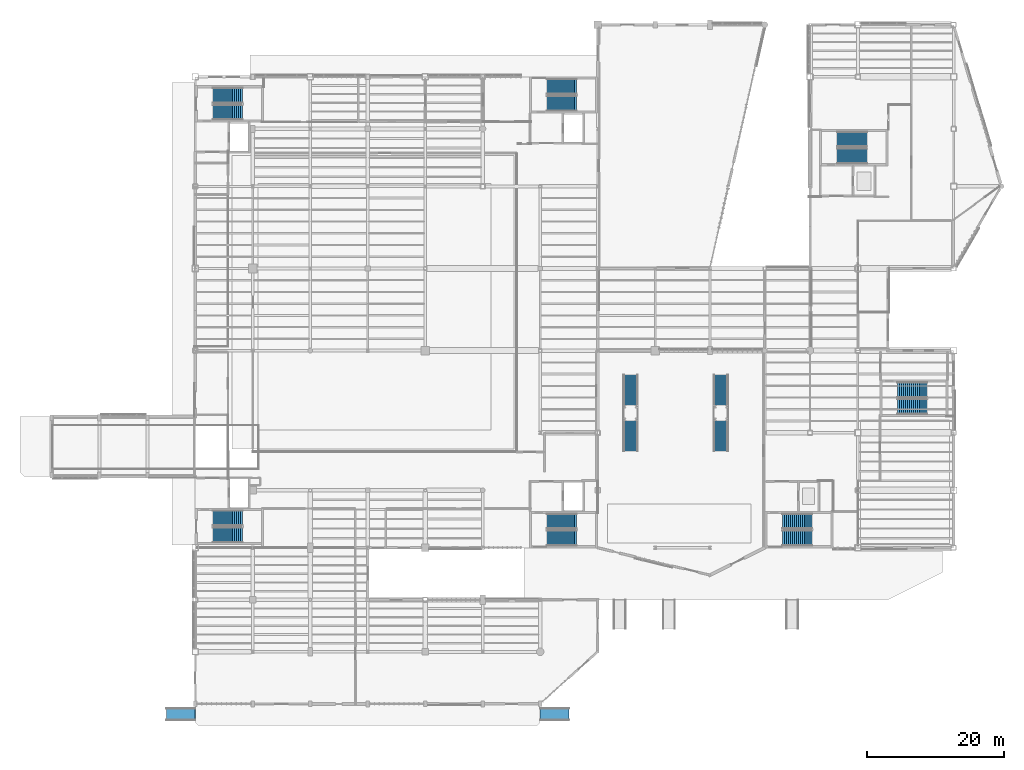
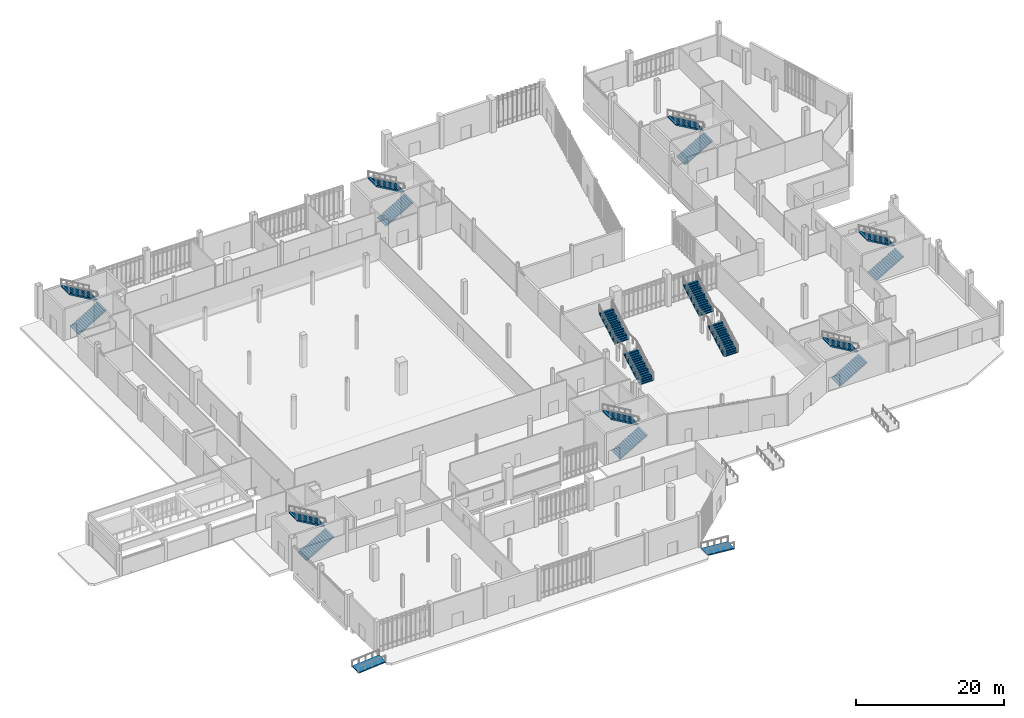
# One storey, part 93 of 111: 18 stair flights, 2 ramp flights, 11 elements without a shape of their own.
"""IFC4 building model written with IfcOpenShell, lengths in metres."""

from ifc_helpers import new_model, si_unit, direction, frame, origin, place, context, subcontext, project, spatial, polyline, outline, extrude, material, layer, layer_set, type_object, element, aggregate, save


model = new_model("IFC4")

# Units and contexts
model_context = context("Model", 3, precision=1e-05, world=origin(), true_north=direction((0.0, 1.0)))
body_context = subcontext(model_context, "Body", "Model", "MODEL_VIEW")
ifc_project = project(units=[si_unit("LENGTHUNIT", "METRE"), si_unit("AREAUNIT", "SQUARE_METRE"), si_unit("VOLUMEUNIT", "CUBIC_METRE"), si_unit("PLANEANGLEUNIT", "RADIAN"), si_unit("MASSUNIT", "GRAM", prefix="KILO")], contexts=[model_context])

# Site, building, storey
site_placement = place(None, origin())
site = spatial("IfcSite", under=ifc_project, at=site_placement, CompositionType="ELEMENT")
building_placement = place(site_placement, origin())
building = spatial("IfcBuilding", under=site, at=building_placement, Name="Larkvane Passage Sports Hall", CompositionType="ELEMENT")
storey_placement = place(building_placement, origin())
storey = spatial("IfcBuildingStorey", under=building, at=storey_placement, Name="L00", CompositionType="ELEMENT", Elevation=0.0)

# Stair, stair flights
ifc_material = material(Name="Concrete C40/50", Category="concrete")
stair_type_1 = type_object("IfcStairType", Name="STR-FOYER-2200", PredefinedType="TWO_STRAIGHT_RUN_STAIR", material=ifc_material)
stair_1_placement = place(storey_placement, origin())
stair_1 = element("IfcStair", 1, at=stair_1_placement, inside=storey, type_object=stair_type_1, Name="Entrance foyer feature stair ST-F1", PredefinedType="TWO_STRAIGHT_RUN_STAIR")
stair_flight_type_1 = type_object("IfcStairFlightType", Name="SFL-RC-2200", PredefinedType="STRAIGHT", material=ifc_material)
stair_flight_1_placement = place(storey_placement, frame((98.39990234375, 36.89990234375, 0.0), z_axis=(0.0, 0.0, 1.0), x_axis=(0.0, 1.0, 0.0)))
stair_flight_1 = element("IfcStairFlight", 2, at=stair_flight_1_placement, type_object=stair_flight_type_1, Name="ST-F1 flight 1", NumberOfRisers=16, NumberOfTreads=15, PredefinedType="STRAIGHT", RiserHeight=0.16875, TreadLength=0.295, context=body_context, shape_type="SweptSolid", body=[
    extrude(outline(polyline([(0.0, 0.0), (0.0, 0.168701171875), (0.294921875, 0.168701171875), (0.294921875, 0.33740234375), (0.590087890625, 0.33740234375), (0.590087890625, 0.50634765625), (0.885009765625, 0.50634765625), (0.885009765625, 0.675048828125), (1.179931640625, 0.675048828125), (1.179931640625, 0.84375), (1.47509765625, 0.84375), (1.47509765625, 1.012451171875), (1.77001953125, 1.012451171875), (1.77001953125, 1.18115234375), (2.06494140625, 1.18115234375), (2.06494140625, 1.35009765625), (2.360107421875, 1.35009765625), (2.360107421875, 1.518798828125), (2.655029296875, 1.518798828125), (2.655029296875, 1.6875), (2.949951171875, 1.6875), (2.949951171875, 1.856201171875), (3.2451171875, 1.856201171875), (3.2451171875, 2.02490234375), (3.5400390625, 2.02490234375), (3.5400390625, 2.19384765625), (3.8349609375, 2.19384765625), (3.8349609375, 2.362548828125), (4.1298828125, 2.362548828125), (4.1298828125, 2.53125), (4.425048828125, 2.53125), (4.425048828125, 2.699951171875), (4.425048828125, 2.323974609375), (0.3623046875, 0.0), (0.0, 0.0)])), frame((0.0, 1.10009765625, 0.0), z_axis=(0.0, -1.0, 0.0), x_axis=(1.0, 0.0, 0.0)), (0.0, 0.0, 1.0), 2.199951171875),
])
stair_flight_2_placement = place(storey_placement, frame((98.39990234375, 43.625, 2.699951171875), z_axis=(0.0, 0.0, 1.0), x_axis=(0.0, 1.0, 0.0)))
stair_flight_2 = element("IfcStairFlight", 3, at=stair_flight_2_placement, type_object=stair_flight_type_1, Name="ST-F1 flight 2", NumberOfRisers=16, NumberOfTreads=15, PredefinedType="STRAIGHT", RiserHeight=0.16875, TreadLength=0.295, context=body_context, shape_type="SweptSolid", body=[
    extrude(outline(polyline([(0.0, 0.0), (0.0, 0.168701171875), (0.294921875, 0.168701171875), (0.294921875, 0.33740234375), (0.590087890625, 0.33740234375), (0.590087890625, 0.50634765625), (0.885009765625, 0.50634765625), (0.885009765625, 0.675048828125), (1.179931640625, 0.675048828125), (1.179931640625, 0.84375), (1.47509765625, 0.84375), (1.47509765625, 1.012451171875), (1.77001953125, 1.012451171875), (1.77001953125, 1.18115234375), (2.06494140625, 1.18115234375), (2.06494140625, 1.35009765625), (2.360107421875, 1.35009765625), (2.360107421875, 1.518798828125), (2.655029296875, 1.518798828125), (2.655029296875, 1.6875), (2.949951171875, 1.6875), (2.949951171875, 1.856201171875), (3.2451171875, 1.856201171875), (3.2451171875, 2.02490234375), (3.5400390625, 2.02490234375), (3.5400390625, 2.19384765625), (3.8349609375, 2.19384765625), (3.8349609375, 2.362548828125), (4.1298828125, 2.362548828125), (4.1298828125, 2.53125), (4.425048828125, 2.53125), (4.425048828125, 2.699951171875), (4.425048828125, 2.323974609375), (0.3623046875, 0.0), (0.0, 0.0)])), frame((0.0, 1.10009765625, 0.0), z_axis=(0.0, -1.0, 0.0), x_axis=(1.0, 0.0, 0.0)), (0.0, 0.0, 1.0), 2.199951171875),
])
aggregate(stair_1, [stair_flight_1, stair_flight_2])

stair_2_placement = place(storey_placement, origin())
stair_2 = element("IfcStair", 4, at=stair_2_placement, inside=storey, type_object=stair_type_1, Name="Entrance foyer feature stair ST-F2", PredefinedType="TWO_STRAIGHT_RUN_STAIR")
stair_flight_3_placement = place(storey_placement, frame((111.60009765625, 36.89990234375, 0.0), z_axis=(0.0, 0.0, 1.0), x_axis=(0.0, 1.0, 0.0)))
stair_flight_3 = element("IfcStairFlight", 5, at=stair_flight_3_placement, type_object=stair_flight_type_1, Name="ST-F2 flight 1", NumberOfRisers=16, NumberOfTreads=15, PredefinedType="STRAIGHT", RiserHeight=0.16875, TreadLength=0.295, context=body_context, shape_type="SweptSolid", body=[
    extrude(outline(polyline([(0.0, 0.0), (0.0, 0.168701171875), (0.294921875, 0.168701171875), (0.294921875, 0.33740234375), (0.590087890625, 0.33740234375), (0.590087890625, 0.50634765625), (0.885009765625, 0.50634765625), (0.885009765625, 0.675048828125), (1.179931640625, 0.675048828125), (1.179931640625, 0.84375), (1.47509765625, 0.84375), (1.47509765625, 1.012451171875), (1.77001953125, 1.012451171875), (1.77001953125, 1.18115234375), (2.06494140625, 1.18115234375), (2.06494140625, 1.35009765625), (2.360107421875, 1.35009765625), (2.360107421875, 1.518798828125), (2.655029296875, 1.518798828125), (2.655029296875, 1.6875), (2.949951171875, 1.6875), (2.949951171875, 1.856201171875), (3.2451171875, 1.856201171875), (3.2451171875, 2.02490234375), (3.5400390625, 2.02490234375), (3.5400390625, 2.19384765625), (3.8349609375, 2.19384765625), (3.8349609375, 2.362548828125), (4.1298828125, 2.362548828125), (4.1298828125, 2.53125), (4.425048828125, 2.53125), (4.425048828125, 2.699951171875), (4.425048828125, 2.323974609375), (0.3623046875, 0.0), (0.0, 0.0)])), frame((0.0, 1.10009765625, 0.0), z_axis=(0.0, -1.0, 0.0), x_axis=(1.0, 0.0, 0.0)), (0.0, 0.0, 1.0), 2.199951171875),
])
stair_flight_4_placement = place(storey_placement, frame((111.60009765625, 43.625, 2.699951171875), z_axis=(0.0, 0.0, 1.0), x_axis=(0.0, 1.0, 0.0)))
stair_flight_4 = element("IfcStairFlight", 6, at=stair_flight_4_placement, type_object=stair_flight_type_1, Name="ST-F2 flight 2", NumberOfRisers=16, NumberOfTreads=15, PredefinedType="STRAIGHT", RiserHeight=0.16875, TreadLength=0.295, context=body_context, shape_type="SweptSolid", body=[
    extrude(outline(polyline([(0.0, 0.0), (0.0, 0.168701171875), (0.294921875, 0.168701171875), (0.294921875, 0.33740234375), (0.590087890625, 0.33740234375), (0.590087890625, 0.50634765625), (0.885009765625, 0.50634765625), (0.885009765625, 0.675048828125), (1.179931640625, 0.675048828125), (1.179931640625, 0.84375), (1.47509765625, 0.84375), (1.47509765625, 1.012451171875), (1.77001953125, 1.012451171875), (1.77001953125, 1.18115234375), (2.06494140625, 1.18115234375), (2.06494140625, 1.35009765625), (2.360107421875, 1.35009765625), (2.360107421875, 1.518798828125), (2.655029296875, 1.518798828125), (2.655029296875, 1.6875), (2.949951171875, 1.6875), (2.949951171875, 1.856201171875), (3.2451171875, 1.856201171875), (3.2451171875, 2.02490234375), (3.5400390625, 2.02490234375), (3.5400390625, 2.19384765625), (3.8349609375, 2.19384765625), (3.8349609375, 2.362548828125), (4.1298828125, 2.362548828125), (4.1298828125, 2.53125), (4.425048828125, 2.53125), (4.425048828125, 2.699951171875), (4.425048828125, 2.323974609375), (0.3623046875, 0.0), (0.0, 0.0)])), frame((0.0, 1.10009765625, 0.0), z_axis=(0.0, -1.0, 0.0), x_axis=(1.0, 0.0, 0.0)), (0.0, 0.0, 1.0), 2.199951171875),
])
aggregate(stair_2, [stair_flight_3, stair_flight_4])

stair_type_2 = type_object("IfcStairType", Name="STR-CORE-2250", PredefinedType="HALF_TURN_STAIR", material=ifc_material)
stair_3_placement = place(storey_placement, origin())
stair_3 = element("IfcStair", 7, at=stair_3_placement, inside=storey, type_object=stair_type_2, Name="L00 Protected exit stair ST-01", PredefinedType="HALF_TURN_STAIR")
stair_flight_type_2 = type_object("IfcStairFlightType", Name="SFL-RC-2250", PredefinedType="STRAIGHT", material=ifc_material)
stair_flight_5_placement = place(storey_placement, frame((37.3798828125, 24.675048828125, 0.0), z_axis=(0.0, 0.0, 1.0), x_axis=(1.0, 0.0, 0.0)))
stair_flight_5 = element("IfcStairFlight", 8, at=stair_flight_5_placement, type_object=stair_flight_type_2, Name="ST-01 flight 1", NumberOfRisers=16, NumberOfTreads=15, PredefinedType="STRAIGHT", RiserHeight=0.16875, TreadLength=0.29, context=body_context, shape_type="SweptSolid", body=[
    extrude(outline(polyline([(0.0, 0.0), (0.0, 0.168701171875), (0.2900390625, 0.168701171875), (0.2900390625, 0.33740234375), (0.580078125, 0.33740234375), (0.580078125, 0.50634765625), (0.8701171875, 0.50634765625), (0.8701171875, 0.675048828125), (1.159912109375, 0.675048828125), (1.159912109375, 0.84375), (1.449951171875, 0.84375), (1.449951171875, 1.012451171875), (1.739990234375, 1.012451171875), (1.739990234375, 1.18115234375), (2.030029296875, 1.18115234375), (2.030029296875, 1.35009765625), (2.320068359375, 1.35009765625), (2.320068359375, 1.518798828125), (2.610107421875, 1.518798828125), (2.610107421875, 1.6875), (2.89990234375, 1.6875), (2.89990234375, 1.856201171875), (3.18994140625, 1.856201171875), (3.18994140625, 2.02490234375), (3.47998046875, 2.02490234375), (3.47998046875, 2.19384765625), (3.77001953125, 2.19384765625), (3.77001953125, 2.362548828125), (4.06005859375, 2.362548828125), (4.06005859375, 2.53125), (4.35009765625, 2.53125), (4.35009765625, 2.699951171875), (4.35009765625, 2.34619140625), (0.31787109375, 0.0), (0.0, 0.0)])), frame((0.0, 1.125, 0.0), z_axis=(0.0, -1.0, 0.0), x_axis=(1.0, 0.0, 0.0)), (0.0, 0.0, 1.0), 2.25),
])
stair_flight_6_placement = place(storey_placement, frame((41.72998046875, 27.125, 2.699951171875), z_axis=(0.0, 0.0, 1.0), x_axis=(-1.0, 0.0, 0.0)))
stair_flight_6 = element("IfcStairFlight", 9, at=stair_flight_6_placement, type_object=stair_flight_type_2, Name="ST-01 flight 2", NumberOfRisers=16, NumberOfTreads=15, PredefinedType="STRAIGHT", RiserHeight=0.16875, TreadLength=0.29, context=body_context, shape_type="SweptSolid", body=[
    extrude(outline(polyline([(0.0, 0.0), (0.0, 0.168701171875), (0.2900390625, 0.168701171875), (0.2900390625, 0.33740234375), (0.580078125, 0.33740234375), (0.580078125, 0.50634765625), (0.8701171875, 0.50634765625), (0.8701171875, 0.675048828125), (1.159912109375, 0.675048828125), (1.159912109375, 0.84375), (1.449951171875, 0.84375), (1.449951171875, 1.012451171875), (1.739990234375, 1.012451171875), (1.739990234375, 1.18115234375), (2.030029296875, 1.18115234375), (2.030029296875, 1.35009765625), (2.320068359375, 1.35009765625), (2.320068359375, 1.518798828125), (2.610107421875, 1.518798828125), (2.610107421875, 1.6875), (2.89990234375, 1.6875), (2.89990234375, 1.856201171875), (3.18994140625, 1.856201171875), (3.18994140625, 2.02490234375), (3.47998046875, 2.02490234375), (3.47998046875, 2.19384765625), (3.77001953125, 2.19384765625), (3.77001953125, 2.362548828125), (4.06005859375, 2.362548828125), (4.06005859375, 2.53125), (4.35009765625, 2.53125), (4.35009765625, 2.699951171875), (4.35009765625, 2.34619140625), (0.31787109375, 0.0), (0.0, 0.0)])), frame((0.0, 1.125, 0.0), z_axis=(0.0, -1.0, 0.0), x_axis=(1.0, 0.0, 0.0)), (0.0, 0.0, 1.0), 2.25),
])
aggregate(stair_3, [stair_flight_5, stair_flight_6])

stair_4_placement = place(storey_placement, origin())
stair_4 = element("IfcStair", 10, at=stair_4_placement, inside=storey, type_object=stair_type_2, Name="L00 Protected exit stair ST-02", PredefinedType="HALF_TURN_STAIR")
stair_flight_7_placement = place(storey_placement, frame((37.3798828125, 86.425048828125, 0.0), z_axis=(0.0, 0.0, 1.0), x_axis=(1.0, 0.0, 0.0)))
stair_flight_7 = element("IfcStairFlight", 11, at=stair_flight_7_placement, type_object=stair_flight_type_2, Name="ST-02 flight 1", NumberOfRisers=16, NumberOfTreads=15, PredefinedType="STRAIGHT", RiserHeight=0.16875, TreadLength=0.29, context=body_context, shape_type="SweptSolid", body=[
    extrude(outline(polyline([(0.0, 0.0), (0.0, 0.168701171875), (0.2900390625, 0.168701171875), (0.2900390625, 0.33740234375), (0.580078125, 0.33740234375), (0.580078125, 0.50634765625), (0.8701171875, 0.50634765625), (0.8701171875, 0.675048828125), (1.159912109375, 0.675048828125), (1.159912109375, 0.84375), (1.449951171875, 0.84375), (1.449951171875, 1.012451171875), (1.739990234375, 1.012451171875), (1.739990234375, 1.18115234375), (2.030029296875, 1.18115234375), (2.030029296875, 1.35009765625), (2.320068359375, 1.35009765625), (2.320068359375, 1.518798828125), (2.610107421875, 1.518798828125), (2.610107421875, 1.6875), (2.89990234375, 1.6875), (2.89990234375, 1.856201171875), (3.18994140625, 1.856201171875), (3.18994140625, 2.02490234375), (3.47998046875, 2.02490234375), (3.47998046875, 2.19384765625), (3.77001953125, 2.19384765625), (3.77001953125, 2.362548828125), (4.06005859375, 2.362548828125), (4.06005859375, 2.53125), (4.35009765625, 2.53125), (4.35009765625, 2.699951171875), (4.35009765625, 2.34619140625), (0.31787109375, 0.0), (0.0, 0.0)])), frame((0.0, 1.125, 0.0), z_axis=(0.0, -1.0, 0.0), x_axis=(1.0, 0.0, 0.0)), (0.0, 0.0, 1.0), 2.25),
])
stair_flight_8_placement = place(storey_placement, frame((41.72998046875, 88.875, 2.699951171875), z_axis=(0.0, 0.0, 1.0), x_axis=(-1.0, 0.0, 0.0)))
stair_flight_8 = element("IfcStairFlight", 12, at=stair_flight_8_placement, type_object=stair_flight_type_2, Name="ST-02 flight 2", NumberOfRisers=16, NumberOfTreads=15, PredefinedType="STRAIGHT", RiserHeight=0.16875, TreadLength=0.29, context=body_context, shape_type="SweptSolid", body=[
    extrude(outline(polyline([(0.0, 0.0), (0.0, 0.168701171875), (0.2900390625, 0.168701171875), (0.2900390625, 0.33740234375), (0.580078125, 0.33740234375), (0.580078125, 0.50634765625), (0.8701171875, 0.50634765625), (0.8701171875, 0.675048828125), (1.159912109375, 0.675048828125), (1.159912109375, 0.84375), (1.449951171875, 0.84375), (1.449951171875, 1.012451171875), (1.739990234375, 1.012451171875), (1.739990234375, 1.18115234375), (2.030029296875, 1.18115234375), (2.030029296875, 1.35009765625), (2.320068359375, 1.35009765625), (2.320068359375, 1.518798828125), (2.610107421875, 1.518798828125), (2.610107421875, 1.6875), (2.89990234375, 1.6875), (2.89990234375, 1.856201171875), (3.18994140625, 1.856201171875), (3.18994140625, 2.02490234375), (3.47998046875, 2.02490234375), (3.47998046875, 2.19384765625), (3.77001953125, 2.19384765625), (3.77001953125, 2.362548828125), (4.06005859375, 2.362548828125), (4.06005859375, 2.53125), (4.35009765625, 2.53125), (4.35009765625, 2.699951171875), (4.35009765625, 2.34619140625), (0.31787109375, 0.0), (0.0, 0.0)])), frame((0.0, 1.125, 0.0), z_axis=(0.0, -1.0, 0.0), x_axis=(1.0, 0.0, 0.0)), (0.0, 0.0, 1.0), 2.25),
])
aggregate(stair_4, [stair_flight_7, stair_flight_8])

stair_5_placement = place(storey_placement, origin())
stair_5 = element("IfcStair", 13, at=stair_5_placement, inside=storey, type_object=stair_type_2, Name="L00 Protected exit stair ST-03", PredefinedType="HALF_TURN_STAIR")
stair_flight_9_placement = place(storey_placement, frame((86.179931640625, 87.72509765625, 0.0), z_axis=(0.0, 0.0, 1.0), x_axis=(1.0, 0.0, 0.0)))
stair_flight_9 = element("IfcStairFlight", 14, at=stair_flight_9_placement, type_object=stair_flight_type_2, Name="ST-03 flight 1", NumberOfRisers=16, NumberOfTreads=15, PredefinedType="STRAIGHT", RiserHeight=0.16875, TreadLength=0.29, context=body_context, shape_type="SweptSolid", body=[
    extrude(outline(polyline([(0.0, 0.0), (0.0, 0.168701171875), (0.2900390625, 0.168701171875), (0.2900390625, 0.33740234375), (0.580078125, 0.33740234375), (0.580078125, 0.50634765625), (0.8701171875, 0.50634765625), (0.8701171875, 0.675048828125), (1.159912109375, 0.675048828125), (1.159912109375, 0.84375), (1.449951171875, 0.84375), (1.449951171875, 1.012451171875), (1.739990234375, 1.012451171875), (1.739990234375, 1.18115234375), (2.030029296875, 1.18115234375), (2.030029296875, 1.35009765625), (2.320068359375, 1.35009765625), (2.320068359375, 1.518798828125), (2.610107421875, 1.518798828125), (2.610107421875, 1.6875), (2.89990234375, 1.6875), (2.89990234375, 1.856201171875), (3.18994140625, 1.856201171875), (3.18994140625, 2.02490234375), (3.47998046875, 2.02490234375), (3.47998046875, 2.19384765625), (3.77001953125, 2.19384765625), (3.77001953125, 2.362548828125), (4.06005859375, 2.362548828125), (4.06005859375, 2.53125), (4.35009765625, 2.53125), (4.35009765625, 2.699951171875), (4.35009765625, 2.34619140625), (0.31787109375, 0.0), (0.0, 0.0)])), frame((0.0, 1.125, 0.0), z_axis=(0.0, -1.0, 0.0), x_axis=(1.0, 0.0, 0.0)), (0.0, 0.0, 1.0), 2.25),
])
stair_flight_10_placement = place(storey_placement, frame((90.530029296875, 90.175048828125, 2.699951171875), z_axis=(0.0, 0.0, 1.0), x_axis=(-1.0, 0.0, 0.0)))
stair_flight_10 = element("IfcStairFlight", 15, at=stair_flight_10_placement, type_object=stair_flight_type_2, Name="ST-03 flight 2", NumberOfRisers=16, NumberOfTreads=15, PredefinedType="STRAIGHT", RiserHeight=0.16875, TreadLength=0.29, context=body_context, shape_type="SweptSolid", body=[
    extrude(outline(polyline([(0.0, 0.0), (0.0, 0.168701171875), (0.2900390625, 0.168701171875), (0.2900390625, 0.33740234375), (0.580078125, 0.33740234375), (0.580078125, 0.50634765625), (0.8701171875, 0.50634765625), (0.8701171875, 0.675048828125), (1.159912109375, 0.675048828125), (1.159912109375, 0.84375), (1.449951171875, 0.84375), (1.449951171875, 1.012451171875), (1.739990234375, 1.012451171875), (1.739990234375, 1.18115234375), (2.030029296875, 1.18115234375), (2.030029296875, 1.35009765625), (2.320068359375, 1.35009765625), (2.320068359375, 1.518798828125), (2.610107421875, 1.518798828125), (2.610107421875, 1.6875), (2.89990234375, 1.6875), (2.89990234375, 1.856201171875), (3.18994140625, 1.856201171875), (3.18994140625, 2.02490234375), (3.47998046875, 2.02490234375), (3.47998046875, 2.19384765625), (3.77001953125, 2.19384765625), (3.77001953125, 2.362548828125), (4.06005859375, 2.362548828125), (4.06005859375, 2.53125), (4.35009765625, 2.53125), (4.35009765625, 2.699951171875), (4.35009765625, 2.34619140625), (0.31787109375, 0.0), (0.0, 0.0)])), frame((0.0, 1.125, 0.0), z_axis=(0.0, -1.0, 0.0), x_axis=(1.0, 0.0, 0.0)), (0.0, 0.0, 1.0), 2.25),
])
aggregate(stair_5, [stair_flight_9, stair_flight_10])

stair_6_placement = place(storey_placement, origin())
stair_6 = element("IfcStair", 16, at=stair_6_placement, inside=storey, type_object=stair_type_2, Name="L00 Protected exit stair ST-04", PredefinedType="HALF_TURN_STAIR")
stair_flight_11_placement = place(storey_placement, frame((86.179931640625, 24.22509765625, 0.0), z_axis=(0.0, 0.0, 1.0), x_axis=(1.0, 0.0, 0.0)))
stair_flight_11 = element("IfcStairFlight", 17, at=stair_flight_11_placement, type_object=stair_flight_type_2, Name="ST-04 flight 1", NumberOfRisers=16, NumberOfTreads=15, PredefinedType="STRAIGHT", RiserHeight=0.16875, TreadLength=0.29, context=body_context, shape_type="SweptSolid", body=[
    extrude(outline(polyline([(0.0, 0.0), (0.0, 0.168701171875), (0.2900390625, 0.168701171875), (0.2900390625, 0.33740234375), (0.580078125, 0.33740234375), (0.580078125, 0.50634765625), (0.8701171875, 0.50634765625), (0.8701171875, 0.675048828125), (1.159912109375, 0.675048828125), (1.159912109375, 0.84375), (1.449951171875, 0.84375), (1.449951171875, 1.012451171875), (1.739990234375, 1.012451171875), (1.739990234375, 1.18115234375), (2.030029296875, 1.18115234375), (2.030029296875, 1.35009765625), (2.320068359375, 1.35009765625), (2.320068359375, 1.518798828125), (2.610107421875, 1.518798828125), (2.610107421875, 1.6875), (2.89990234375, 1.6875), (2.89990234375, 1.856201171875), (3.18994140625, 1.856201171875), (3.18994140625, 2.02490234375), (3.47998046875, 2.02490234375), (3.47998046875, 2.19384765625), (3.77001953125, 2.19384765625), (3.77001953125, 2.362548828125), (4.06005859375, 2.362548828125), (4.06005859375, 2.53125), (4.35009765625, 2.53125), (4.35009765625, 2.699951171875), (4.35009765625, 2.34619140625), (0.31787109375, 0.0), (0.0, 0.0)])), frame((0.0, 1.125, 0.0), z_axis=(0.0, -1.0, 0.0), x_axis=(1.0, 0.0, 0.0)), (0.0, 0.0, 1.0), 2.25),
])
stair_flight_12_placement = place(storey_placement, frame((90.530029296875, 26.675048828125, 2.699951171875), z_axis=(0.0, 0.0, 1.0), x_axis=(-1.0, 0.0, 0.0)))
stair_flight_12 = element("IfcStairFlight", 18, at=stair_flight_12_placement, type_object=stair_flight_type_2, Name="ST-04 flight 2", NumberOfRisers=16, NumberOfTreads=15, PredefinedType="STRAIGHT", RiserHeight=0.16875, TreadLength=0.29, context=body_context, shape_type="SweptSolid", body=[
    extrude(outline(polyline([(0.0, 0.0), (0.0, 0.168701171875), (0.2900390625, 0.168701171875), (0.2900390625, 0.33740234375), (0.580078125, 0.33740234375), (0.580078125, 0.50634765625), (0.8701171875, 0.50634765625), (0.8701171875, 0.675048828125), (1.159912109375, 0.675048828125), (1.159912109375, 0.84375), (1.449951171875, 0.84375), (1.449951171875, 1.012451171875), (1.739990234375, 1.012451171875), (1.739990234375, 1.18115234375), (2.030029296875, 1.18115234375), (2.030029296875, 1.35009765625), (2.320068359375, 1.35009765625), (2.320068359375, 1.518798828125), (2.610107421875, 1.518798828125), (2.610107421875, 1.6875), (2.89990234375, 1.6875), (2.89990234375, 1.856201171875), (3.18994140625, 1.856201171875), (3.18994140625, 2.02490234375), (3.47998046875, 2.02490234375), (3.47998046875, 2.19384765625), (3.77001953125, 2.19384765625), (3.77001953125, 2.362548828125), (4.06005859375, 2.362548828125), (4.06005859375, 2.53125), (4.35009765625, 2.53125), (4.35009765625, 2.699951171875), (4.35009765625, 2.34619140625), (0.31787109375, 0.0), (0.0, 0.0)])), frame((0.0, 1.125, 0.0), z_axis=(0.0, -1.0, 0.0), x_axis=(1.0, 0.0, 0.0)), (0.0, 0.0, 1.0), 2.25),
])
aggregate(stair_6, [stair_flight_11, stair_flight_12])

stair_7_placement = place(storey_placement, origin())
stair_7 = element("IfcStair", 19, at=stair_7_placement, inside=storey, type_object=stair_type_2, Name="L00 Protected exit stair ST-05", PredefinedType="HALF_TURN_STAIR")
stair_flight_13_placement = place(storey_placement, frame((120.580078125, 24.22509765625, 0.0), z_axis=(0.0, 0.0, 1.0), x_axis=(1.0, 0.0, 0.0)))
stair_flight_13 = element("IfcStairFlight", 20, at=stair_flight_13_placement, type_object=stair_flight_type_2, Name="ST-05 flight 1", NumberOfRisers=16, NumberOfTreads=15, PredefinedType="STRAIGHT", RiserHeight=0.16875, TreadLength=0.29, context=body_context, shape_type="SweptSolid", body=[
    extrude(outline(polyline([(0.0, 0.0), (0.0, 0.168701171875), (0.2900390625, 0.168701171875), (0.2900390625, 0.33740234375), (0.580078125, 0.33740234375), (0.580078125, 0.50634765625), (0.8701171875, 0.50634765625), (0.8701171875, 0.675048828125), (1.159912109375, 0.675048828125), (1.159912109375, 0.84375), (1.449951171875, 0.84375), (1.449951171875, 1.012451171875), (1.739990234375, 1.012451171875), (1.739990234375, 1.18115234375), (2.030029296875, 1.18115234375), (2.030029296875, 1.35009765625), (2.320068359375, 1.35009765625), (2.320068359375, 1.518798828125), (2.610107421875, 1.518798828125), (2.610107421875, 1.6875), (2.89990234375, 1.6875), (2.89990234375, 1.856201171875), (3.18994140625, 1.856201171875), (3.18994140625, 2.02490234375), (3.47998046875, 2.02490234375), (3.47998046875, 2.19384765625), (3.77001953125, 2.19384765625), (3.77001953125, 2.362548828125), (4.06005859375, 2.362548828125), (4.06005859375, 2.53125), (4.35009765625, 2.53125), (4.35009765625, 2.699951171875), (4.35009765625, 2.34619140625), (0.31787109375, 0.0), (0.0, 0.0)])), frame((0.0, 1.125, 0.0), z_axis=(0.0, -1.0, 0.0), x_axis=(1.0, 0.0, 0.0)), (0.0, 0.0, 1.0), 2.25),
])
stair_flight_14_placement = place(storey_placement, frame((124.929931640625, 26.675048828125, 2.699951171875), z_axis=(0.0, 0.0, 1.0), x_axis=(-1.0, 0.0, 0.0)))
stair_flight_14 = element("IfcStairFlight", 21, at=stair_flight_14_placement, type_object=stair_flight_type_2, Name="ST-05 flight 2", NumberOfRisers=16, NumberOfTreads=15, PredefinedType="STRAIGHT", RiserHeight=0.16875, TreadLength=0.29, context=body_context, shape_type="SweptSolid", body=[
    extrude(outline(polyline([(0.0, 0.0), (0.0, 0.168701171875), (0.2900390625, 0.168701171875), (0.2900390625, 0.33740234375), (0.580078125, 0.33740234375), (0.580078125, 0.50634765625), (0.8701171875, 0.50634765625), (0.8701171875, 0.675048828125), (1.159912109375, 0.675048828125), (1.159912109375, 0.84375), (1.449951171875, 0.84375), (1.449951171875, 1.012451171875), (1.739990234375, 1.012451171875), (1.739990234375, 1.18115234375), (2.030029296875, 1.18115234375), (2.030029296875, 1.35009765625), (2.320068359375, 1.35009765625), (2.320068359375, 1.518798828125), (2.610107421875, 1.518798828125), (2.610107421875, 1.6875), (2.89990234375, 1.6875), (2.89990234375, 1.856201171875), (3.18994140625, 1.856201171875), (3.18994140625, 2.02490234375), (3.47998046875, 2.02490234375), (3.47998046875, 2.19384765625), (3.77001953125, 2.19384765625), (3.77001953125, 2.362548828125), (4.06005859375, 2.362548828125), (4.06005859375, 2.53125), (4.35009765625, 2.53125), (4.35009765625, 2.699951171875), (4.35009765625, 2.34619140625), (0.31787109375, 0.0), (0.0, 0.0)])), frame((0.0, 1.125, 0.0), z_axis=(0.0, -1.0, 0.0), x_axis=(1.0, 0.0, 0.0)), (0.0, 0.0, 1.0), 2.25),
])
aggregate(stair_7, [stair_flight_13, stair_flight_14])

stair_8_placement = place(storey_placement, origin())
stair_8 = element("IfcStair", 22, at=stair_8_placement, inside=storey, type_object=stair_type_2, Name="L00 Protected exit stair ST-06", PredefinedType="HALF_TURN_STAIR")
stair_flight_15_placement = place(storey_placement, frame((128.580078125, 80.02490234375, 0.0), z_axis=(0.0, 0.0, 1.0), x_axis=(1.0, 0.0, 0.0)))
stair_flight_15 = element("IfcStairFlight", 23, at=stair_flight_15_placement, type_object=stair_flight_type_2, Name="ST-06 flight 1", NumberOfRisers=16, NumberOfTreads=15, PredefinedType="STRAIGHT", RiserHeight=0.16875, TreadLength=0.29, context=body_context, shape_type="SweptSolid", body=[
    extrude(outline(polyline([(0.0, 0.0), (0.0, 0.168701171875), (0.2900390625, 0.168701171875), (0.2900390625, 0.33740234375), (0.580078125, 0.33740234375), (0.580078125, 0.50634765625), (0.8701171875, 0.50634765625), (0.8701171875, 0.675048828125), (1.159912109375, 0.675048828125), (1.159912109375, 0.84375), (1.449951171875, 0.84375), (1.449951171875, 1.012451171875), (1.739990234375, 1.012451171875), (1.739990234375, 1.18115234375), (2.030029296875, 1.18115234375), (2.030029296875, 1.35009765625), (2.320068359375, 1.35009765625), (2.320068359375, 1.518798828125), (2.610107421875, 1.518798828125), (2.610107421875, 1.6875), (2.89990234375, 1.6875), (2.89990234375, 1.856201171875), (3.18994140625, 1.856201171875), (3.18994140625, 2.02490234375), (3.47998046875, 2.02490234375), (3.47998046875, 2.19384765625), (3.77001953125, 2.19384765625), (3.77001953125, 2.362548828125), (4.06005859375, 2.362548828125), (4.06005859375, 2.53125), (4.35009765625, 2.53125), (4.35009765625, 2.699951171875), (4.35009765625, 2.34619140625), (0.31787109375, 0.0), (0.0, 0.0)])), frame((0.0, 1.125, 0.0), z_axis=(0.0, -1.0, 0.0), x_axis=(1.0, 0.0, 0.0)), (0.0, 0.0, 1.0), 2.25),
])
stair_flight_16_placement = place(storey_placement, frame((132.929931640625, 82.47509765625, 2.699951171875), z_axis=(0.0, 0.0, 1.0), x_axis=(-1.0, 0.0, 0.0)))
stair_flight_16 = element("IfcStairFlight", 24, at=stair_flight_16_placement, type_object=stair_flight_type_2, Name="ST-06 flight 2", NumberOfRisers=16, NumberOfTreads=15, PredefinedType="STRAIGHT", RiserHeight=0.16875, TreadLength=0.29, context=body_context, shape_type="SweptSolid", body=[
    extrude(outline(polyline([(0.0, 0.0), (0.0, 0.168701171875), (0.2900390625, 0.168701171875), (0.2900390625, 0.33740234375), (0.580078125, 0.33740234375), (0.580078125, 0.50634765625), (0.8701171875, 0.50634765625), (0.8701171875, 0.675048828125), (1.159912109375, 0.675048828125), (1.159912109375, 0.84375), (1.449951171875, 0.84375), (1.449951171875, 1.012451171875), (1.739990234375, 1.012451171875), (1.739990234375, 1.18115234375), (2.030029296875, 1.18115234375), (2.030029296875, 1.35009765625), (2.320068359375, 1.35009765625), (2.320068359375, 1.518798828125), (2.610107421875, 1.518798828125), (2.610107421875, 1.6875), (2.89990234375, 1.6875), (2.89990234375, 1.856201171875), (3.18994140625, 1.856201171875), (3.18994140625, 2.02490234375), (3.47998046875, 2.02490234375), (3.47998046875, 2.19384765625), (3.77001953125, 2.19384765625), (3.77001953125, 2.362548828125), (4.06005859375, 2.362548828125), (4.06005859375, 2.53125), (4.35009765625, 2.53125), (4.35009765625, 2.699951171875), (4.35009765625, 2.34619140625), (0.31787109375, 0.0), (0.0, 0.0)])), frame((0.0, 1.125, 0.0), z_axis=(0.0, -1.0, 0.0), x_axis=(1.0, 0.0, 0.0)), (0.0, 0.0, 1.0), 2.25),
])
aggregate(stair_8, [stair_flight_15, stair_flight_16])

stair_9_placement = place(storey_placement, origin())
stair_9 = element("IfcStair", 25, at=stair_9_placement, inside=storey, type_object=stair_type_2, Name="L00 Protected exit stair ST-07", PredefinedType="HALF_TURN_STAIR")
stair_flight_17_placement = place(storey_placement, frame((137.3798828125, 43.425048828125, 0.0), z_axis=(0.0, 0.0, 1.0), x_axis=(1.0, 0.0, 0.0)))
stair_flight_17 = element("IfcStairFlight", 26, at=stair_flight_17_placement, type_object=stair_flight_type_2, Name="ST-07 flight 1", NumberOfRisers=16, NumberOfTreads=15, PredefinedType="STRAIGHT", RiserHeight=0.16875, TreadLength=0.29, context=body_context, shape_type="SweptSolid", body=[
    extrude(outline(polyline([(0.0, 0.0), (0.0, 0.168701171875), (0.2900390625, 0.168701171875), (0.2900390625, 0.33740234375), (0.580078125, 0.33740234375), (0.580078125, 0.50634765625), (0.8701171875, 0.50634765625), (0.8701171875, 0.675048828125), (1.159912109375, 0.675048828125), (1.159912109375, 0.84375), (1.449951171875, 0.84375), (1.449951171875, 1.012451171875), (1.739990234375, 1.012451171875), (1.739990234375, 1.18115234375), (2.030029296875, 1.18115234375), (2.030029296875, 1.35009765625), (2.320068359375, 1.35009765625), (2.320068359375, 1.518798828125), (2.610107421875, 1.518798828125), (2.610107421875, 1.6875), (2.89990234375, 1.6875), (2.89990234375, 1.856201171875), (3.18994140625, 1.856201171875), (3.18994140625, 2.02490234375), (3.47998046875, 2.02490234375), (3.47998046875, 2.19384765625), (3.77001953125, 2.19384765625), (3.77001953125, 2.362548828125), (4.06005859375, 2.362548828125), (4.06005859375, 2.53125), (4.35009765625, 2.53125), (4.35009765625, 2.699951171875), (4.35009765625, 2.34619140625), (0.31787109375, 0.0), (0.0, 0.0)])), frame((0.0, 1.125, 0.0), z_axis=(0.0, -1.0, 0.0), x_axis=(1.0, 0.0, 0.0)), (0.0, 0.0, 1.0), 2.25),
])
stair_flight_18_placement = place(storey_placement, frame((141.72998046875, 45.875, 2.699951171875), z_axis=(0.0, 0.0, 1.0), x_axis=(-1.0, 0.0, 0.0)))
stair_flight_18 = element("IfcStairFlight", 27, at=stair_flight_18_placement, type_object=stair_flight_type_2, Name="ST-07 flight 2", NumberOfRisers=16, NumberOfTreads=15, PredefinedType="STRAIGHT", RiserHeight=0.16875, TreadLength=0.29, context=body_context, shape_type="SweptSolid", body=[
    extrude(outline(polyline([(0.0, 0.0), (0.0, 0.168701171875), (0.2900390625, 0.168701171875), (0.2900390625, 0.33740234375), (0.580078125, 0.33740234375), (0.580078125, 0.50634765625), (0.8701171875, 0.50634765625), (0.8701171875, 0.675048828125), (1.159912109375, 0.675048828125), (1.159912109375, 0.84375), (1.449951171875, 0.84375), (1.449951171875, 1.012451171875), (1.739990234375, 1.012451171875), (1.739990234375, 1.18115234375), (2.030029296875, 1.18115234375), (2.030029296875, 1.35009765625), (2.320068359375, 1.35009765625), (2.320068359375, 1.518798828125), (2.610107421875, 1.518798828125), (2.610107421875, 1.6875), (2.89990234375, 1.6875), (2.89990234375, 1.856201171875), (3.18994140625, 1.856201171875), (3.18994140625, 2.02490234375), (3.47998046875, 2.02490234375), (3.47998046875, 2.19384765625), (3.77001953125, 2.19384765625), (3.77001953125, 2.362548828125), (4.06005859375, 2.362548828125), (4.06005859375, 2.53125), (4.35009765625, 2.53125), (4.35009765625, 2.699951171875), (4.35009765625, 2.34619140625), (0.31787109375, 0.0), (0.0, 0.0)])), frame((0.0, 1.125, 0.0), z_axis=(0.0, -1.0, 0.0), x_axis=(1.0, 0.0, 0.0)), (0.0, 0.0, 1.0), 2.25),
])
aggregate(stair_9, [stair_flight_17, stair_flight_18])

# Ramp, ramp flight
ramp_type = type_object("IfcRampType", Name="RMP-ACC-1500", PredefinedType="STRAIGHT_RUN_RAMP", material=ifc_material)
ramp_1_placement = place(storey_placement, origin())
ramp_1 = element("IfcRamp", 28, at=ramp_1_placement, inside=storey, type_object=ramp_type, Name="Accessible approach ramp RA-02", PredefinedType="STRAIGHT_RUN_RAMP")
ifc_layer = layer(ifc_material, 0.199951171875)
ifc_layer_set = layer_set([ifc_layer], Name="Concrete C40/50")
ramp_flight_type = type_object("IfcRampFlightType", Name="RFL-ACC-1500", PredefinedType="STRAIGHT", material=ifc_layer_set)
ramp_flight_1_placement = place(storey_placement, frame((30.60009765625, -2.39990234375, -0.35009765625), z_axis=(-0.083069450238, 0.0, 0.996543760423), x_axis=(0.996543760423, 0.0, 0.083069450238)))
ramp_flight_1 = element("IfcRampFlight", 29, at=ramp_flight_1_placement, type_object=ramp_flight_type, Name="Accessible ramp flight RA-02F", PredefinedType="STRAIGHT", context=body_context, shape_type="SweptSolid", body=[
    extrude(outline(polyline([(0.0, 0.0), (4.214517554245792, 0.0), (4.214517554245792, 1.7998046875000004), (0.0, 1.7998046875000004), (0.0, 0.0)])), origin(), (0.0, 0.0, -1.0), 0.199951171875),
])
aggregate(ramp_1, [ramp_flight_1])

ramp_2_placement = place(storey_placement, origin())
ramp_2 = element("IfcRamp", 30, at=ramp_2_placement, inside=storey, type_object=ramp_type, Name="Accessible approach ramp RA-03", PredefinedType="STRAIGHT_RUN_RAMP")
ramp_flight_2_placement = place(storey_placement, frame((89.39990234375, -2.39990234375, -0.35009765625), z_axis=(0.083069450238, 0.0, 0.996543760423), x_axis=(-0.996543760423, 0.0, 0.083069450238)))
ramp_flight_2 = element("IfcRampFlight", 31, at=ramp_flight_2_placement, type_object=ramp_flight_type, Name="Accessible ramp flight RA-03F", PredefinedType="STRAIGHT", context=body_context, shape_type="SweptSolid", body=[
    extrude(outline(polyline([(0.0, 0.0), (4.214517554245792, 0.0), (4.214517554245792, -1.7998046875000004), (0.0, -1.7998046875000004), (0.0, 0.0)])), origin(), (0.0, 0.0, -1.0), 0.199951171875),
])
aggregate(ramp_2, [ramp_flight_2])

save(model, "model.ifc")
